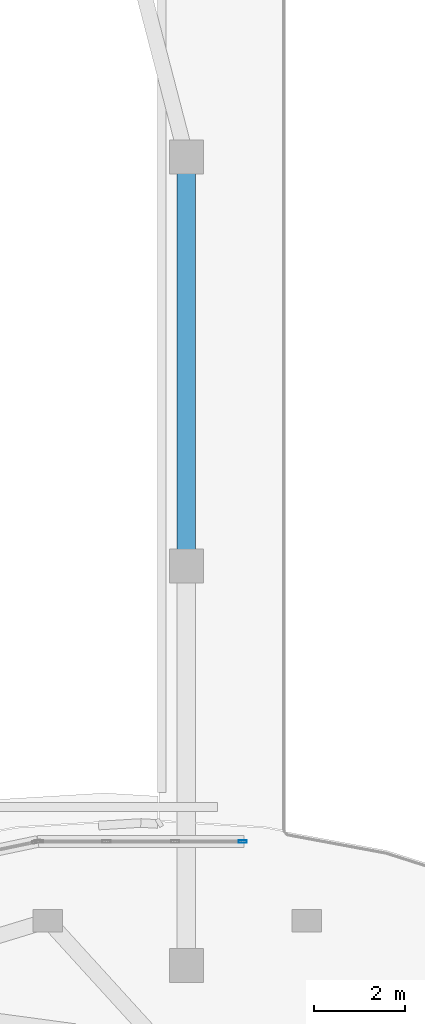
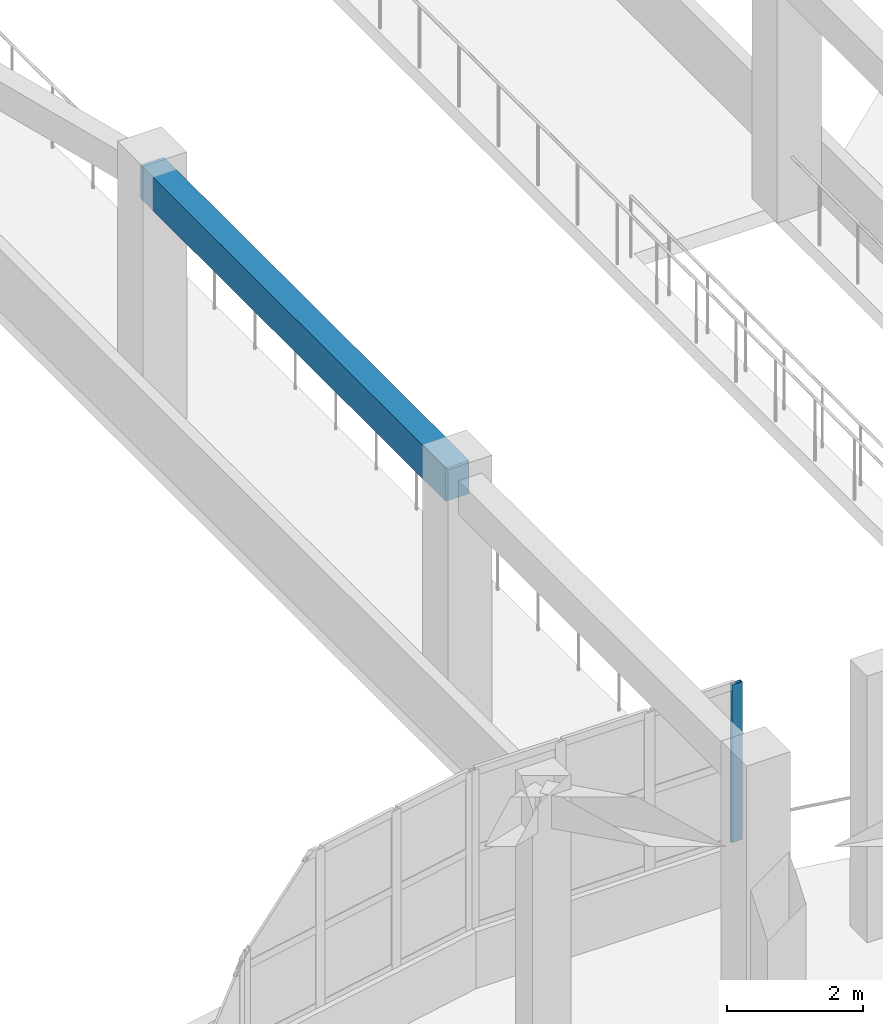
# One storey, part 16 of 98: 1 beam, 1 member, 1 element without a shape of its own.
"""IFC4 building model written with IfcOpenShell, lengths in metres."""

from ifc_helpers import new_model, si_unit, direction, frame, origin, origin_2d, place, context, subcontext, project, spatial, rectangle, hollow_rectangle, extrude, material, layer, layer_set, material_profile, profile_set, type_object, element, aggregate, save


model = new_model("IFC4")

# Units and contexts
model_context = context("Model", 3, precision=1e-05, world=origin(), true_north=direction((0.0, 1.0)))
body_context = subcontext(model_context, "Body", "Model", "MODEL_VIEW")
ifc_project = project(units=[si_unit("LENGTHUNIT", "METRE"), si_unit("AREAUNIT", "SQUARE_METRE"), si_unit("VOLUMEUNIT", "CUBIC_METRE"), si_unit("PLANEANGLEUNIT", "RADIAN"), si_unit("MASSUNIT", "GRAM", prefix="KILO")], contexts=[model_context])

# Site, building, storey
site_placement = place(None, origin())
site = spatial("IfcSite", under=ifc_project, at=site_placement, CompositionType="ELEMENT")
building_placement = place(site_placement, origin())
building = spatial("IfcBuilding", under=site, at=building_placement, Name="Pelvatis Terrace Science Centre", CompositionType="ELEMENT")
storey_placement = place(building_placement, frame((0.0, 0.0, 5.39990234375)))
storey = spatial("IfcBuildingStorey", under=building, at=storey_placement, Name="L01", CompositionType="ELEMENT", Elevation=5.39990234375)

# Beam
ifc_material_1 = material(Name="Concrete C35/45", Category="concrete")
ifc_material_profile_1 = material_profile(ifc_material_1, rectangle(XDim=0.39990234375, YDim=0.60009765625, at=origin_2d()), Name="RC-BM 400x600")
ifc_profile_set_1 = profile_set([ifc_material_profile_1], Name="Concrete C35/45")
beam_type = type_object("IfcBeamType", Name="BM-RC-400x600", PredefinedType="BEAM", material=ifc_profile_set_1)
beam_placement = place(storey_placement, frame((47.39990234375, 56.800048828125, 4.239990234375), z_axis=(0.0, 1.0, 0.0), x_axis=(-1.0, 0.0, 0.0)))
element("IfcBeam", 1, at=beam_placement, inside=storey, type_object=beam_type, Name="Beam BM-L01-2834", PredefinedType="BEAM", context=body_context, shape_type="SweptSolid", body=[
    extrude(rectangle(XDim=0.39990234375, YDim=0.60009765625, at=origin_2d()), origin(), (0.0, 0.0, 1.0), 9.0),
])

# Curtain wall, member
ifc_material_2 = material(Name="Bronze-anodised aluminium and laminated glass", Category="aluminium")
ifc_layer = layer(ifc_material_2, 0.179931640625)
ifc_layer_set = layer_set([ifc_layer], Name="Bronze-anodised aluminium and laminated glass")
curtain_wall_type = type_object("IfcCurtainWallType", Name="CW-RIBBON-A", PredefinedType="NOTDEFINED", material=ifc_layer_set)
curtain_wall_placement = place(storey_placement, origin())
curtain_wall = element("IfcCurtainWall", 2, at=curtain_wall_placement, inside=storey, type_object=curtain_wall_type, Name="Ribbon curtain wall CW-023 (L01)", PredefinedType="NOTDEFINED")
ifc_material_3 = material(Name="Bronze-anodised aluminium 6063-T6", Category="aluminium")
ifc_material_profile_2 = material_profile(ifc_material_3, hollow_rectangle(XDim=0.06005859375, YDim=0.179931640625, WallThickness=0.00390625, at=origin_2d()), Name="ALU-MUL 60x180")
ifc_profile_set_2 = profile_set([ifc_material_profile_2], Name="Bronze-anodised aluminium 6063-T6")
member_type = type_object("IfcMemberType", Name="CWM-60x180", PredefinedType="MULLION", material=ifc_profile_set_2)
member_placement = place(storey_placement, frame((48.64208984375, 50.73291015625, 1.02001953125), z_axis=(0.0, 0.0, 1.0), x_axis=(0.0, -1.0, 0.0)))
member = element("IfcMember", 3, at=member_placement, type_object=member_type, Name="CW-023 mullion 1", PredefinedType="MULLION", context=body_context, shape_type="SweptSolid", body=[
    extrude(hollow_rectangle(XDim=0.06005859375, YDim=0.179931640625, WallThickness=0.00390625, at=origin_2d()), origin(), (0.0, 0.0, 1.0), 2.840087890625),
])
aggregate(curtain_wall, [member])

save(model, "model.ifc")
